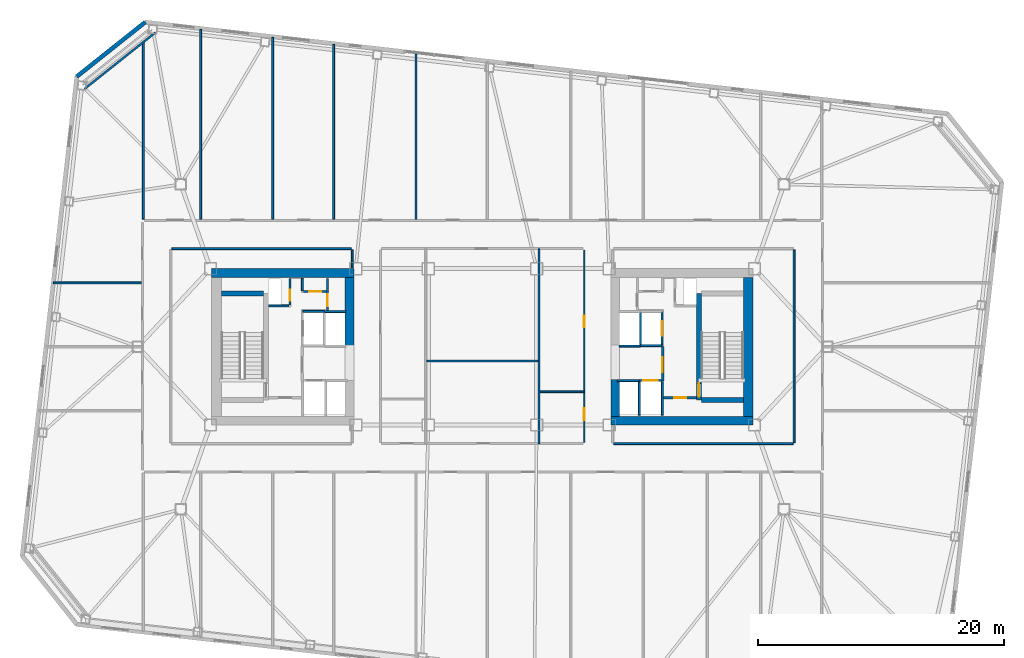
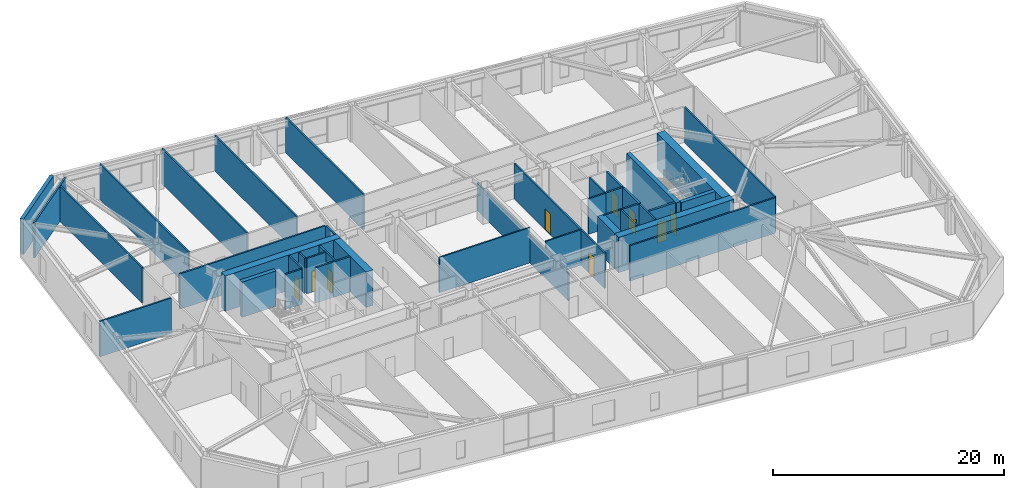
# One storey, part 13 of 21: 41 walls, 10 doors, 10 openings.
"""IFC4 building model written with IfcOpenShell, lengths in metres."""

from ifc_helpers import new_model, si_unit, direction, frame, frame_2d, origin, place, context, subcontext, project, spatial, rectangle, extrude, material, layer, layer_set, type_object, element, fill, save


model = new_model("IFC4")

# Units and contexts
model_context = context("Model", 3, precision=1e-05, world=origin(), true_north=direction((0.0, 1.0)))
body_context = subcontext(model_context, "Body", "Model", "MODEL_VIEW")
ifc_project = project(units=[si_unit("LENGTHUNIT", "METRE"), si_unit("AREAUNIT", "SQUARE_METRE"), si_unit("VOLUMEUNIT", "CUBIC_METRE"), si_unit("PLANEANGLEUNIT", "RADIAN"), si_unit("MASSUNIT", "GRAM", prefix="KILO")], contexts=[model_context])

# Site, building, storey
site_placement = place(None, origin())
site = spatial("IfcSite", under=ifc_project, at=site_placement, CompositionType="ELEMENT")
building_placement = place(site_placement, origin())
building = spatial("IfcBuilding", under=site, at=building_placement, Name="Tavrogorsk Clinical Tower", CompositionType="ELEMENT")
storey_placement = place(building_placement, frame((0.0, 0.0, 133.39990234375)))
storey = spatial("IfcBuildingStorey", under=building, at=storey_placement, Name="L30", CompositionType="ELEMENT", Elevation=133.39990234375)

# Wall, opening, door
ifc_material_1 = material(Name="Concrete B60", Category="concrete")
ifc_layer_1 = layer(ifc_material_1, 0.199951171875)
ifc_layer_set_1 = layer_set([ifc_layer_1], Name="Concrete B60")
wall_type_1 = type_object("IfcWallType", Name="CoreFireWall_200", PredefinedType="SOLIDWALL", material=ifc_layer_set_1)
wall_1_placement = place(storey_placement, frame((14.719970703125, -4.139892578125, 0.0), z_axis=(0.0, 0.0, 1.0), x_axis=(1.0, 0.0, 0.0)))
wall_1 = element("IfcWall", 1, at=wall_1_placement, inside=storey, type_object=wall_type_1, Name="L30 Core East South Core Room Fire Wall", PredefinedType="SOLIDWALL", context=body_context, shape_type="SweptSolid", body=[
    extrude(rectangle(XDim=2.659912109375, YDim=0.199951171875, at=frame_2d((1.330078125, 0.0))), origin(), (0.0, 0.0, 1.0), 3.739990234375),
])
opening_1_placement = place(wall_1_placement, frame((0.8798828125, 0.0, 0.0)))
opening_1 = element("IfcOpeningElement", 2, at=opening_1_placement, cuts=wall_1, Name="Opening ID-02", PredefinedType="OPENING", context=body_context, shape_type="SweptSolid", body=[
    extrude(rectangle(XDim=0.949951171875, YDim=2.199951171875, at=frame_2d((0.47509765625, 1.10009765625))), frame((0.0, 0.10986328125, 0.0), z_axis=(0.0, -1.0, 0.0), x_axis=(1.0, 0.0, 0.0)), (0.0, 0.0, 1.0), 0.219970703125),
])
ifc_material_2 = material(Name="Laminated timber leaf on aluminium frame", Category="wood")
door_type_1 = type_object("IfcDoorType", Name="InteriorDoor_ID02_950", OperationType="NOTDEFINED", PredefinedType="DOOR", material=ifc_material_2)
door_1_placement = place(opening_1_placement, origin())
door_1 = element("IfcDoor", 3, at=door_1_placement, inside=storey, type_object=door_type_1, Name="L30 Core East South Core Room Door", OperationType="SINGLE_SWING_LEFT", OverallHeight=2.199951171875, OverallWidth=0.949951171875, PredefinedType="DOOR", context=body_context, shape_type="SweptSolid", body=[
    extrude(rectangle(XDim=0.949951171875, YDim=2.199951171875, at=frame_2d((0.47509765625, 1.10009765625))), frame((0.0, 0.02490234375, 0.0), z_axis=(0.0, -1.0, 0.0), x_axis=(1.0, 0.0, 0.0)), (0.0, 0.0, 1.0), 0.050048828125),
])
fill(opening_1, door_1)

wall_2_placement = place(storey_placement, frame((14.639892578125, -2.780029296875, 0.0), z_axis=(0.0, 0.0, 1.0), x_axis=(0.0, 1.0, 0.0)))
wall_2 = element("IfcWall", 4, at=wall_2_placement, inside=storey, type_object=wall_type_1, Name="L30 Core East Firefighting Lobby Fire Wall", PredefinedType="SOLIDWALL", context=body_context, shape_type="SweptSolid", body=[
    extrude(rectangle(XDim=2.820068359375, YDim=0.199951171875, at=frame_2d((1.41015625, 0.0))), origin(), (0.0, 0.0, 1.0), 3.739990234375),
])
opening_2_placement = place(wall_2_placement, frame((0.72998046875, 0.0, 0.0)))
opening_2 = element("IfcOpeningElement", 5, at=opening_2_placement, cuts=wall_2, Name="Opening FD-01", PredefinedType="OPENING", context=body_context, shape_type="SweptSolid", body=[
    extrude(rectangle(XDim=1.199951171875, YDim=2.199951171875, at=frame_2d((0.60009765625, 1.10009765625))), frame((0.0, 0.10986328125, 0.0), z_axis=(0.0, -1.0, 0.0), x_axis=(1.0, 0.0, 0.0)), (0.0, 0.0, 1.0), 0.219970703125),
])
ifc_material_3 = material(Name="Galvanised steel fire-rated door assembly", Category="steel")
door_type_2 = type_object("IfcDoorType", Name="FireDoor_FD01_1200", OperationType="NOTDEFINED", PredefinedType="DOOR", material=ifc_material_3)
door_2_placement = place(opening_2_placement, origin())
door_2 = element("IfcDoor", 6, at=door_2_placement, inside=storey, type_object=door_type_2, Name="L30 Core East Firefighting Lobby Entry Door", OperationType="SINGLE_SWING_RIGHT", OverallHeight=2.199951171875, OverallWidth=1.199951171875, PredefinedType="DOOR", context=body_context, shape_type="SweptSolid", body=[
    extrude(rectangle(XDim=1.199951171875, YDim=2.199951171875, at=frame_2d((0.60009765625, 1.10009765625))), frame((0.0, 0.02490234375, 0.0), z_axis=(0.0, -1.0, 0.0), x_axis=(1.0, 0.0, 0.0)), (0.0, 0.0, 1.0), 0.050048828125),
])
fill(opening_2, door_2)

# Walls
ifc_material_4 = material(Name="Lightweight concrete blockwork B15", Category="masonry")
ifc_layer_2 = layer(ifc_material_4, 0.139892578125)
ifc_layer_set_2 = layer_set([ifc_layer_2], Name="Lightweight concrete blockwork B15")
wall_type_2 = type_object("IfcWallType", Name="PartitionWall_140", PredefinedType="PARTITIONING", material=ifc_layer_set_2)
wall_3_placement = place(storey_placement, frame((4.60009765625, -7.864990234375, 0.0), z_axis=(0.0, 0.0, 1.0), x_axis=(0.0, 1.0, 0.0)))
element("IfcWall", 7, at=wall_3_placement, inside=storey, type_object=wall_type_2, Name="L30 Central Spine Partition 2", PredefinedType="PARTITIONING", context=body_context, shape_type="SweptSolid", body=[
    extrude(rectangle(XDim=15.830078125, YDim=0.139892578125, at=frame_2d((7.9150390625, 0.0))), origin(), (0.0, 0.0, 1.0), 2.93505859375),
])
wall_4_placement = place(storey_placement, frame((-4.52490234375, -1.14990234375, 0.0), z_axis=(0.0, 0.0, 1.0), x_axis=(1.0, 0.0, 0.0)))
element("IfcWall", 8, at=wall_4_placement, inside=storey, type_object=wall_type_2, Name="L30 Central Spine Partition 3", PredefinedType="PARTITIONING", context=body_context, shape_type="SweptSolid", body=[
    extrude(rectangle(XDim=9.0498046875, YDim=0.139892578125, at=frame_2d((4.52490234375, 0.0))), origin(), (0.0, 0.0, 1.0), 3.739990234375),
])
wall_5_placement = place(storey_placement, frame((4.675048828125, -3.64990234375, 0.0), z_axis=(0.0, 0.0, 1.0), x_axis=(1.0, 0.0, 0.0)))
element("IfcWall", 9, at=wall_5_placement, inside=storey, type_object=wall_type_2, Name="L30 Central Spine Partition 5", PredefinedType="PARTITIONING", context=body_context, shape_type="SweptSolid", body=[
    extrude(rectangle(XDim=3.58984375, YDim=0.139892578125, at=frame_2d((1.794921875, 0.0))), origin(), (0.0, 0.0, 1.0), 3.739990234375),
])

# Wall, opening, door
ifc_material_5 = material(Name="Lightweight concrete blockwork B15", Category="masonry")
ifc_layer_3 = layer(ifc_material_5, 0.159912109375)
ifc_layer_set_3 = layer_set([ifc_layer_3], Name="Lightweight concrete blockwork B15")
wall_type_3 = type_object("IfcWallType", Name="PartitionWall_160", PredefinedType="PARTITIONING", material=ifc_layer_set_3)
wall_6_placement = place(storey_placement, frame((-12.580078125, 2.9599609375, 0.0), z_axis=(0.0, 0.0, 1.0), x_axis=(0.0, 1.0, 0.0)))
wall_6 = element("IfcWall", 10, at=wall_6_placement, inside=storey, type_object=wall_type_3, Name="L30 Core West Linen Closet Wall", PredefinedType="PARTITIONING", context=body_context, shape_type="SweptSolid", body=[
    extrude(rectangle(XDim=2.60009765625, YDim=0.159912109375, at=frame_2d((1.300048828125, 0.0))), origin(), (0.0, 0.0, 1.0), 3.739990234375),
])
opening_3_placement = place(wall_6_placement, frame((0.35009765625, 0.0, 0.0)))
opening_3 = element("IfcOpeningElement", 11, at=opening_3_placement, cuts=wall_6, Name="Opening ID-02", PredefinedType="OPENING", context=body_context, shape_type="SweptSolid", body=[
    extrude(rectangle(XDim=0.949951171875, YDim=2.199951171875, at=frame_2d((0.47509765625, 1.10009765625))), frame((0.0, 0.08984375, 0.0), z_axis=(0.0, -1.0, 0.0), x_axis=(1.0, 0.0, 0.0)), (0.0, 0.0, 1.0), 0.179931640625),
])
door_3_placement = place(opening_3_placement, origin())
door_3 = element("IfcDoor", 12, at=door_3_placement, inside=storey, type_object=door_type_1, Name="L30 Core West Linen Closet Door", OperationType="SINGLE_SWING_LEFT", OverallHeight=2.199951171875, OverallWidth=0.949951171875, PredefinedType="DOOR", context=body_context, shape_type="SweptSolid", body=[
    extrude(rectangle(XDim=0.949951171875, YDim=2.199951171875, at=frame_2d((0.47509765625, 1.10009765625))), frame((0.0, 0.02490234375, 0.0), z_axis=(0.0, -1.0, 0.0), x_axis=(1.0, 0.0, 0.0)), (0.0, 0.0, 1.0), 0.050048828125),
])
fill(opening_3, door_3)

wall_7_placement = place(storey_placement, frame((-14.554931640625, 4.47998046875, 0.0), z_axis=(0.0, 0.0, 1.0), x_axis=(1.0, 0.0, 0.0)))
wall_7 = element("IfcWall", 13, at=wall_7_placement, inside=storey, type_object=wall_type_3, Name="L30 Core West Housekeeping South Wall", PredefinedType="PARTITIONING", context=body_context, shape_type="SweptSolid", body=[
    extrude(rectangle(XDim=1.889892578125, YDim=0.159912109375, at=frame_2d((0.94482421875, 0.0))), origin(), (0.0, 0.0, 1.0), 3.739990234375),
])
opening_4_placement = place(wall_7_placement, frame((0.5, 0.0, 0.0)))
opening_4 = element("IfcOpeningElement", 14, at=opening_4_placement, cuts=wall_7, Name="Opening ID-02", PredefinedType="OPENING", context=body_context, shape_type="SweptSolid", body=[
    extrude(rectangle(XDim=0.949951171875, YDim=2.199951171875, at=frame_2d((0.47509765625, 1.10009765625))), frame((0.0, 0.08984375, 0.0), z_axis=(0.0, -1.0, 0.0), x_axis=(1.0, 0.0, 0.0)), (0.0, 0.0, 1.0), 0.179931640625),
])
door_4_placement = place(opening_4_placement, origin())
door_4 = element("IfcDoor", 15, at=door_4_placement, inside=storey, type_object=door_type_1, Name="L30 Core West Housekeeping Closet Door", OperationType="SINGLE_SWING_RIGHT", OverallHeight=2.199951171875, OverallWidth=0.949951171875, PredefinedType="DOOR", context=body_context, shape_type="SweptSolid", body=[
    extrude(rectangle(XDim=0.949951171875, YDim=2.199951171875, at=frame_2d((0.47509765625, 1.10009765625))), frame((0.0, 0.02490234375, 0.0), z_axis=(0.0, -1.0, 0.0), x_axis=(1.0, 0.0, 0.0)), (0.0, 0.0, 1.0), 0.050048828125),
])
fill(opening_4, door_4)

# Walls
wall_8_placement = place(storey_placement, frame((-14.639892578125, 4.56494140625, 0.0), z_axis=(0.0, 0.0, 1.0), x_axis=(0.0, 1.0, 0.0)))
element("IfcWall", 16, at=wall_8_placement, inside=storey, type_object=wall_type_3, Name="L30 Core West Housekeeping East Wall", PredefinedType="PARTITIONING", context=body_context, shape_type="SweptSolid", body=[
    extrude(rectangle(XDim=0.9951171875, YDim=0.159912109375, at=frame_2d((0.49755859375, 0.0))), origin(), (0.0, 0.0, 1.0), 3.739990234375),
])
wall_9_placement = place(storey_placement, frame((-26.5712890625, 25.534912109375, 0.0), z_axis=(0.0, 0.0, 1.0), x_axis=(-0.782617962887, -0.622502308564, 0.0)))
element("IfcWall", 17, at=wall_9_placement, inside=storey, type_object=wall_type_3, Name="L30 Corner Exoskeleton Brace Furring Wall 3", PredefinedType="PARTITIONING", context=body_context, shape_type="SweptSolid", body=[
    extrude(rectangle(XDim=7.35400390625, YDim=0.159912109375, at=frame_2d((3.677001953125, 0.0))), origin(), (0.0, 0.0, 1.0), 3.739990234375),
])
wall_10_placement = place(storey_placement, frame((10.6650390625, -7.8701171875, 0.0), z_axis=(0.0, 0.0, 1.0), x_axis=(1.0, 0.0, 0.0)))
element("IfcWall", 18, at=wall_10_placement, inside=storey, type_object=wall_type_3, Name="L30 Corridor Partition 08", PredefinedType="PARTITIONING", context=body_context, shape_type="SweptSolid", body=[
    extrude(rectangle(XDim=14.570068359375, YDim=0.159912109375, at=frame_2d((7.28515625, 0.0))), origin(), (0.0, 0.0, 1.0), 3.739990234375),
])
wall_11_placement = place(storey_placement, frame((25.320068359375, -7.784912109375, 0.0), z_axis=(0.0, 0.0, 1.0), x_axis=(0.0, 1.0, 0.0)))
element("IfcWall", 19, at=wall_11_placement, inside=storey, type_object=wall_type_3, Name="L30 Corridor Partition 09", PredefinedType="PARTITIONING", context=body_context, shape_type="SweptSolid", body=[
    extrude(rectangle(XDim=15.669921875, YDim=0.159912109375, at=frame_2d((7.8349609375, 0.0))), origin(), (0.0, 0.0, 1.0), 3.739990234375),
])

# Wall, openings, doors
wall_12_placement = place(storey_placement, frame((8.27001953125, -7.784912109375, 0.0), z_axis=(0.0, 0.0, 1.0), x_axis=(0.0, 1.0, 0.0)))
wall_12 = element("IfcWall", 20, at=wall_12_placement, inside=storey, type_object=wall_type_3, Name="L30 Corridor Partition 10", PredefinedType="PARTITIONING", context=body_context, shape_type="SweptSolid", body=[
    extrude(rectangle(XDim=15.669921875, YDim=0.159912109375, at=frame_2d((7.8349609375, 0.0))), origin(), (0.0, 0.0, 1.0), 3.739990234375),
])
opening_5_placement = place(wall_12_placement, frame((1.8291015625, 0.0, 0.0)))
opening_5 = element("IfcOpeningElement", 21, at=opening_5_placement, cuts=wall_12, Name="Opening ID-02", PredefinedType="OPENING", context=body_context, shape_type="SweptSolid", body=[
    extrude(rectangle(XDim=0.949951171875, YDim=2.199951171875, at=frame_2d((0.47509765625, 1.10009765625))), frame((0.0, 0.08984375, 0.0), z_axis=(0.0, -1.0, 0.0), x_axis=(1.0, 0.0, 0.0)), (0.0, 0.0, 1.0), 0.179931640625),
])
opening_6_placement = place(wall_12_placement, frame((9.36083984375, 0.0, 0.0)))
opening_6 = element("IfcOpeningElement", 22, at=opening_6_placement, cuts=wall_12, Name="Opening ID-02", PredefinedType="OPENING", context=body_context, shape_type="SweptSolid", body=[
    extrude(rectangle(XDim=0.949951171875, YDim=2.199951171875, at=frame_2d((0.47509765625, 1.10009765625))), frame((0.0, 0.08984375, 0.0), z_axis=(0.0, -1.0, 0.0), x_axis=(1.0, 0.0, 0.0)), (0.0, 0.0, 1.0), 0.179931640625),
])
door_5_placement = place(opening_5_placement, origin())
door_5 = element("IfcDoor", 23, at=door_5_placement, inside=storey, type_object=door_type_1, Name="L30 Staff & Visitor Accessible WC Door", OperationType="SINGLE_SWING_RIGHT", OverallHeight=2.199951171875, OverallWidth=0.949951171875, PredefinedType="DOOR", context=body_context, shape_type="SweptSolid", body=[
    extrude(rectangle(XDim=0.949951171875, YDim=2.199951171875, at=frame_2d((0.47509765625, 1.10009765625))), frame((0.0, 0.02490234375, 0.0), z_axis=(0.0, -1.0, 0.0), x_axis=(1.0, 0.0, 0.0)), (0.0, 0.0, 1.0), 0.050048828125),
])
fill(opening_5, door_5)
door_6_placement = place(opening_6_placement, origin())
door_6 = element("IfcDoor", 24, at=door_6_placement, inside=storey, type_object=door_type_1, Name="L30 Attending Physician Office Door", OperationType="SINGLE_SWING_LEFT", OverallHeight=2.199951171875, OverallWidth=0.949951171875, PredefinedType="DOOR", context=body_context, shape_type="SweptSolid", body=[
    extrude(rectangle(XDim=0.949951171875, YDim=2.199951171875, at=frame_2d((0.47509765625, 1.10009765625))), frame((0.0, 0.02490234375, 0.0), z_axis=(0.0, -1.0, 0.0), x_axis=(1.0, 0.0, 0.0)), (0.0, 0.0, 1.0), 0.050048828125),
])
fill(opening_6, door_6)

# Walls
wall_13_placement = place(storey_placement, frame((-10.580078125, 6.419921875, 0.0), z_axis=(0.0, 0.0, 1.0), x_axis=(0.0, 1.0, 0.0)))
element("IfcWall", 25, at=wall_13_placement, inside=storey, type_object=wall_type_3, Name="L30 Corridor Partition 15", PredefinedType="PARTITIONING", context=body_context, shape_type="SweptSolid", body=[
    extrude(rectangle(XDim=1.465087890625, YDim=0.159912109375, at=frame_2d((0.732421875, 0.0))), origin(), (0.0, 0.0, 1.0), 3.739990234375),
])
wall_14_placement = place(storey_placement, frame((-10.6650390625, 7.969970703125, 0.0), z_axis=(0.0, 0.0, 1.0), x_axis=(-1.0, 0.0, 0.0)))
element("IfcWall", 26, at=wall_14_placement, inside=storey, type_object=wall_type_3, Name="L30 Corridor Partition 16", PredefinedType="PARTITIONING", context=body_context, shape_type="SweptSolid", body=[
    extrude(rectangle(XDim=14.570068359375, YDim=0.159912109375, at=frame_2d((7.28515625, 0.0))), origin(), (0.0, 0.0, 1.0), 3.739990234375),
])
wall_15_placement = place(storey_placement, frame((-27.550048828125, 10.364990234375, 0.0), z_axis=(0.0, 0.0, 1.0), x_axis=(0.0, 1.0, 0.0)))
element("IfcWall", 27, at=wall_15_placement, inside=storey, type_object=wall_type_3, Name="L30 NW Wing Closure Partition", PredefinedType="PARTITIONING", context=body_context, shape_type="SweptSolid", body=[
    extrude(rectangle(XDim=14.40869140625, YDim=0.159912109375, at=frame_2d((7.204345703125, 0.0))), origin(), (0.0, 0.0, 1.0), 3.739990234375),
])
wall_16_placement = place(storey_placement, frame((-22.89990234375, 10.364990234375, 0.0), z_axis=(0.0, 0.0, 1.0), x_axis=(0.0, 1.0, 0.0)))
element("IfcWall", 28, at=wall_16_placement, inside=storey, type_object=wall_type_3, Name="L30 North Room Partition 1", PredefinedType="PARTITIONING", context=body_context, shape_type="SweptSolid", body=[
    extrude(rectangle(XDim=15.4365234375, YDim=0.159912109375, at=frame_2d((7.71826171875, 0.0))), origin(), (0.0, 0.0, 1.0), 3.739990234375),
])
wall_17_placement = place(storey_placement, frame((-12.10009765625, 10.364990234375, 0.0), z_axis=(0.0, 0.0, 1.0), x_axis=(0.0, 1.0, 0.0)))
element("IfcWall", 29, at=wall_17_placement, inside=storey, type_object=wall_type_3, Name="L30 North Room Partition 2", PredefinedType="PARTITIONING", context=body_context, shape_type="SweptSolid", body=[
    extrude(rectangle(XDim=14.2060546875, YDim=0.159912109375, at=frame_2d((7.10302734375, 0.0))), origin(), (0.0, 0.0, 1.0), 3.739990234375),
])
wall_18_placement = place(storey_placement, frame((-17.050048828125, 10.364990234375, 0.0), z_axis=(0.0, 0.0, 1.0), x_axis=(0.0, 1.0, 0.0)))
element("IfcWall", 30, at=wall_18_placement, inside=storey, type_object=wall_type_3, Name="L30 North Sub-Partition 2", PredefinedType="PARTITIONING", context=body_context, shape_type="SweptSolid", body=[
    extrude(rectangle(XDim=14.77001953125, YDim=0.159912109375, at=frame_2d((7.385009765625, 0.0))), origin(), (0.0, 0.0, 1.0), 3.739990234375),
])
wall_19_placement = place(storey_placement, frame((-5.39990234375, 10.364990234375, 0.0), z_axis=(0.0, 0.0, 1.0), x_axis=(0.0, 1.0, 0.0)))
element("IfcWall", 31, at=wall_19_placement, inside=storey, type_object=wall_type_3, Name="L30 North Sub-Partition 3", PredefinedType="PARTITIONING", context=body_context, shape_type="SweptSolid", body=[
    extrude(rectangle(XDim=13.442626953125, YDim=0.159912109375, at=frame_2d((6.72119140625, 0.0))), origin(), (0.0, 0.0, 1.0), 3.739990234375),
])
wall_20_placement = place(storey_placement, frame((-34.857177734375, 5.199951171875, 0.0), z_axis=(0.0, 0.0, 1.0), x_axis=(1.0, 0.0, 0.0)))
element("IfcWall", 32, at=wall_20_placement, inside=storey, type_object=wall_type_3, Name="L30 W Wing Divider 3", PredefinedType="PARTITIONING", context=body_context, shape_type="SweptSolid", body=[
    extrude(rectangle(XDim=7.14208984375, YDim=0.159912109375, at=frame_2d((3.571044921875, 0.0))), origin(), (0.0, 0.0, 1.0), 3.739990234375),
])
ifc_material_6 = material(Name="Precast concrete B45 with limestone cladding", Category="masonry")
ifc_layer_4 = layer(ifc_material_6, 0.340087890625)
ifc_layer_set_4 = layer_set([ifc_layer_4], Name="Precast concrete B45 with limestone cladding")
wall_type_4 = type_object("IfcWallType", Name="PrecastLimestoneWall_340", PredefinedType="STANDARD", material=ifc_layer_set_4)
wall_21_placement = place(storey_placement, frame((-27.40087890625, 26.384765625, 0.0), z_axis=(0.0, 0.0, 1.0), x_axis=(-0.78261359446, -0.622507800567, 0.0)))
element("IfcWall", 33, at=wall_21_placement, inside=storey, type_object=wall_type_4, Name="L30 Chamfered Corner Wall 3", PredefinedType="STANDARD", context=body_context, shape_type="SweptSolid", body=[
    extrude(rectangle(XDim=7.113525390625, YDim=0.340087890625, at=frame_2d((3.556640625, 0.0))), origin(), (0.0, 0.0, 1.0), 3.739990234375),
])
ifc_material_7 = material(Name="Lightweight concrete blockwork B25", Category="masonry")
ifc_layer_5 = layer(ifc_material_7, 0.159912109375)
ifc_layer_set_5 = layer_set([ifc_layer_5], Name="Lightweight concrete blockwork B25")
wall_type_5 = type_object("IfcWallType", Name="ShaftWall_160", PredefinedType="PARTITIONING", material=ifc_layer_set_5)
wall_22_placement = place(storey_placement, frame((-14.60009765625, 2.8798828125, 0.0), z_axis=(0.0, 0.0, 1.0), x_axis=(1.0, 0.0, 0.0)))
element("IfcWall", 34, at=wall_22_placement, inside=storey, type_object=wall_type_5, Name="L30 FFL-W Shaft North Wall", PredefinedType="PARTITIONING", context=body_context, shape_type="SweptSolid", body=[
    extrude(rectangle(XDim=1.760009765625, YDim=0.159912109375, at=frame_2d((0.8798828125, 0.0))), origin(), (0.0, 0.0, 1.0), 3.739990234375),
])
wall_23_placement = place(storey_placement, frame((-12.820068359375, 2.860107421875, 0.0), z_axis=(0.0, 0.0, 1.0), x_axis=(1.0, 0.0, 0.0)))
element("IfcWall", 35, at=wall_23_placement, inside=storey, type_object=wall_type_5, Name="L30 LP-H1 High-Zone Lift Rear Wall", PredefinedType="PARTITIONING", context=body_context, shape_type="SweptSolid", body=[
    extrude(rectangle(XDim=1.719970703125, YDim=0.159912109375, at=frame_2d((0.85986328125, 0.0))), origin(), (0.0, 0.0, 1.0), 3.739990234375),
])

# Wall, opening, door
wall_24_placement = place(storey_placement, frame((14.60009765625, 0.1201171875, 0.0), z_axis=(0.0, 0.0, 1.0), x_axis=(0.0, 1.0, 0.0)))
wall_24 = element("IfcWall", 36, at=wall_24_placement, inside=storey, type_object=wall_type_5, Name="L30 FFL-E Firefighting Lift Front Wall", PredefinedType="PARTITIONING", context=body_context, shape_type="SweptSolid", body=[
    extrude(rectangle(XDim=2.739990234375, YDim=0.159912109375, at=frame_2d((1.3701171875, 0.0))), origin(), (0.0, 0.0, 1.0), 3.739990234375),
])
opening_7_placement = place(wall_24_placement, frame((0.77001953125, 0.0, 0.0)))
opening_7 = element("IfcOpeningElement", 37, at=opening_7_placement, cuts=wall_24, Name="Opening LD", PredefinedType="OPENING", context=body_context, shape_type="SweptSolid", body=[
    extrude(rectangle(XDim=1.199951171875, YDim=2.199951171875, at=frame_2d((0.60009765625, 1.10009765625))), frame((0.0, 0.08984375, 0.0), z_axis=(0.0, -1.0, 0.0), x_axis=(1.0, 0.0, 0.0)), (0.0, 0.0, 1.0), 0.179931640625),
])
ifc_material_8 = material(Name="Brushed stainless steel AISI 304 sliding doors", Category="steel")
door_type_3 = type_object("IfcDoorType", Name="LiftLandingDoor_LD_1200", OperationType="SLIDING_TO_LEFT", PredefinedType="DOOR", material=ifc_material_8)
door_7_placement = place(opening_7_placement, origin())
door_7 = element("IfcDoor", 38, at=door_7_placement, inside=storey, type_object=door_type_3, Name="L30 FFL-E Sliding Lift Landing Door", OperationType="SLIDING_TO_LEFT", OverallHeight=2.199951171875, OverallWidth=1.199951171875, PredefinedType="DOOR", context=body_context, shape_type="SweptSolid", body=[
    extrude(rectangle(XDim=1.199951171875, YDim=2.199951171875, at=frame_2d((0.60009765625, 1.10009765625))), frame((0.0, 0.02490234375, 0.0), z_axis=(0.0, -1.0, 0.0), x_axis=(1.0, 0.0, 0.0)), (0.0, 0.0, 1.0), 0.050048828125),
])
fill(opening_7, door_7)

# Walls
wall_25_placement = place(storey_placement, frame((12.840087890625, 0.10009765625, 0.0), z_axis=(0.0, 0.0, 1.0), x_axis=(1.0, 0.0, 0.0)))
element("IfcWall", 39, at=wall_25_placement, inside=storey, type_object=wall_type_5, Name="L30 FFL-E Shaft South Wall", PredefinedType="PARTITIONING", context=body_context, shape_type="SweptSolid", body=[
    extrude(rectangle(XDim=1.760009765625, YDim=0.159912109375, at=frame_2d((0.8798828125, 0.0))), origin(), (0.0, 0.0, 1.0), 3.739990234375),
])
wall_26_placement = place(storey_placement, frame((12.840087890625, 0.179931640625, 0.0), z_axis=(0.0, 0.0, 1.0), x_axis=(0.0, 1.0, 0.0)))
element("IfcWall", 40, at=wall_26_placement, inside=storey, type_object=wall_type_5, Name="L30 FFL-E Shaft Back Wall", PredefinedType="PARTITIONING", context=body_context, shape_type="SweptSolid", body=[
    extrude(rectangle(XDim=2.6201171875, YDim=0.159912109375, at=frame_2d((1.31005859375, 0.0))), origin(), (0.0, 0.0, 1.0), 3.739990234375),
])

# Wall, opening, door
wall_27_placement = place(storey_placement, frame((12.77001953125, -2.75, 0.0), z_axis=(0.0, 0.0, 1.0), x_axis=(1.0, 0.0, 0.0)))
wall_27 = element("IfcWall", 41, at=wall_27_placement, inside=storey, type_object=wall_type_5, Name="L30 LP-L2 Lift Shaft Portal Wall", PredefinedType="PARTITIONING", context=body_context, shape_type="SweptSolid", body=[
    extrude(rectangle(XDim=1.760009765625, YDim=0.159912109375, at=frame_2d((0.8798828125, 0.0))), origin(), (0.0, 0.0, 1.0), 3.739990234375),
])
opening_8_placement = place(wall_27_placement, frame((0.280029296875, 0.0, 0.0)))
opening_8 = element("IfcOpeningElement", 42, at=opening_8_placement, cuts=wall_27, Name="Opening LD", PredefinedType="OPENING", context=body_context, shape_type="SweptSolid", body=[
    extrude(rectangle(XDim=1.199951171875, YDim=2.199951171875, at=frame_2d((0.60009765625, 1.10009765625))), frame((0.0, 0.08984375, 0.0), z_axis=(0.0, -1.0, 0.0), x_axis=(1.0, 0.0, 0.0)), (0.0, 0.0, 1.0), 0.179931640625),
])
door_8_placement = place(opening_8_placement, origin())
door_8 = element("IfcDoor", 43, at=door_8_placement, inside=storey, type_object=door_type_3, Name="L30 LP-L2 Sliding Lift Landing Door", OperationType="SLIDING_TO_LEFT", OverallHeight=2.199951171875, OverallWidth=1.199951171875, PredefinedType="DOOR", context=body_context, shape_type="SweptSolid", body=[
    extrude(rectangle(XDim=1.199951171875, YDim=2.199951171875, at=frame_2d((0.60009765625, 1.10009765625))), frame((0.0, 0.02490234375, 0.0), z_axis=(0.0, -1.0, 0.0), x_axis=(1.0, 0.0, 0.0)), (0.0, 0.0, 1.0), 0.050048828125),
])
fill(opening_8, door_8)

# Walls
for number, where, z_axis, x_axis, name in (
    (44, (12.75, -5.5400390625, 0.0), (0.0, 0.0, 1.0), (0.0, 1.0, 0.0), "L30 LP-L2 Lift Hoistway Divider Wall"),
    (45, (14.610107421875, -5.5400390625, 0.0), (0.0, 0.0, 1.0), (0.0, 1.0, 0.0), "L30 LP-L2 Lift Hoistway Outer Cheek Wall"),
):
    element("IfcWall", number, at=place(storey_placement, frame(where, z_axis=z_axis, x_axis=x_axis)), inside=storey, type_object=wall_type_5, Name=name, PredefinedType="PARTITIONING", context=body_context, shape_type="SweptSolid", body=[
        extrude(rectangle(XDim=2.699951171875, YDim=0.159912109375, at=frame_2d((1.35009765625, 0.0))), origin(), (0.0, 0.0, 1.0), 3.739990234375),
    ])
wall_28_placement = place(storey_placement, frame((10.969970703125, -2.75, 0.0), z_axis=(0.0, 0.0, 1.0), x_axis=(1.0, 0.0, 0.0)))
element("IfcWall", 46, at=wall_28_placement, inside=storey, type_object=wall_type_5, Name="L30 LP-M2 Lift Shaft Portal Wall", PredefinedType="PARTITIONING", context=body_context, shape_type="SweptSolid", body=[
    extrude(rectangle(XDim=1.760009765625, YDim=0.159912109375, at=frame_2d((0.8798828125, 0.0))), origin(), (0.0, 0.0, 1.0), 3.739990234375),
])
wall_29_placement = place(storey_placement, frame((11.10009765625, 0.06005859375, 0.0), z_axis=(0.0, 0.0, 1.0), x_axis=(1.0, 0.0, 0.0)))
element("IfcWall", 47, at=wall_29_placement, inside=storey, type_object=wall_type_5, Name="L30 LP-H2 High-Zone Lift Portal Wall", PredefinedType="PARTITIONING", context=body_context, shape_type="SweptSolid", body=[
    extrude(rectangle(XDim=1.719970703125, YDim=0.159912109375, at=frame_2d((0.85986328125, 0.0))), origin(), (0.0, 0.0, 1.0), 3.739990234375),
])

# Wall, opening, door
wall_30_placement = place(storey_placement, frame((-15.639892578125, 3.405029296875, 0.0), z_axis=(0.0, 0.0, 1.0), x_axis=(0.0, 1.0, 0.0)))
wall_30 = element("IfcWall", 48, at=wall_30_placement, inside=storey, type_object=wall_type_5, Name="L30 Core West Riser West Wall", PredefinedType="PARTITIONING", context=body_context, shape_type="SweptSolid", body=[
    extrude(rectangle(XDim=2.155029296875, YDim=0.159912109375, at=frame_2d((1.07763671875, 0.0))), origin(), (0.0, 0.0, 1.0), 3.739990234375),
])
opening_9_placement = place(wall_30_placement, frame((0.35009765625, 0.0, 0.0)))
opening_9 = element("IfcOpeningElement", 49, at=opening_9_placement, cuts=wall_30, Name="Opening FD-02", PredefinedType="OPENING", context=body_context, shape_type="SweptSolid", body=[
    extrude(rectangle(XDim=0.89990234375, YDim=2.199951171875, at=frame_2d((0.449951171875, 1.10009765625))), frame((0.0, 0.08984375, 0.0), z_axis=(0.0, -1.0, 0.0), x_axis=(1.0, 0.0, 0.0)), (0.0, 0.0, 1.0), 0.179931640625),
])
ifc_material_9 = material(Name="Galvanised steel fire-rated door assembly", Category="steel")
door_type_4 = type_object("IfcDoorType", Name="FireDoor_FD02_900", OperationType="NOTDEFINED", PredefinedType="DOOR", material=ifc_material_9)
door_9_placement = place(opening_9_placement, origin())
door_9 = element("IfcDoor", 50, at=door_9_placement, inside=storey, type_object=door_type_4, Name="L30 Core West Electrical Riser Access Door", OperationType="SINGLE_SWING_LEFT", OverallHeight=2.199951171875, OverallWidth=0.89990234375, PredefinedType="DOOR", context=body_context, shape_type="SweptSolid", body=[
    extrude(rectangle(XDim=0.89990234375, YDim=2.199951171875, at=frame_2d((0.449951171875, 1.10009765625))), frame((0.0, 0.02490234375, 0.0), z_axis=(0.0, -1.0, 0.0), x_axis=(1.0, 0.0, 0.0)), (0.0, 0.0, 1.0), 0.050048828125),
])
fill(opening_9, door_9)

# Walls
wall_31_placement = place(storey_placement, frame((-17.3798828125, 3.320068359375, 0.0), z_axis=(0.0, 0.0, 1.0), x_axis=(1.0, 0.0, 0.0)))
element("IfcWall", 51, at=wall_31_placement, inside=storey, type_object=wall_type_5, Name="L30 Core West Riser South Wall", PredefinedType="PARTITIONING", context=body_context, shape_type="SweptSolid", body=[
    extrude(rectangle(XDim=1.65478515625, YDim=0.159912109375, at=frame_2d((0.827392578125, 0.0))), origin(), (0.0, 0.0, 1.0), 3.739990234375),
])
ifc_material_10 = material(Name="Concrete B80", Category="concrete")
ifc_layer_6 = layer(ifc_material_10, 0.39990234375)
ifc_layer_set_6 = layer_set([ifc_layer_6], Name="Concrete B80")
wall_type_6 = type_object("IfcWallType", Name="ShearWall_400", PredefinedType="SHEAR", material=ifc_layer_set_6)
wall_32_placement = place(storey_placement, frame((-21.199951171875, 4.324951171875, 0.0), z_axis=(0.0, 0.0, 1.0), x_axis=(1.0, 0.0, 0.0)))
element("IfcWall", 52, at=wall_32_placement, inside=storey, type_object=wall_type_6, Name="L30 Core West Stair Shaft North Shear Wall", PredefinedType="SHEAR", context=body_context, shape_type="SweptSolid", body=[
    extrude(rectangle(XDim=3.39990234375, YDim=0.39990234375, at=frame_2d((1.699951171875, 0.0))), origin(), (0.0, 0.0, 1.0), 3.739990234375),
])

# Wall, opening, door
wall_33_placement = place(storey_placement, frame((17.60009765625, -4.324951171875, 0.0), z_axis=(0.0, 0.0, 1.0), x_axis=(0.0, 1.0, 0.0)))
wall_33 = element("IfcWall", 53, at=wall_33_placement, inside=storey, type_object=wall_type_6, Name="L30 Core East Stair Shaft Inner Shear Wall", PredefinedType="SHEAR", context=body_context, shape_type="SweptSolid", body=[
    extrude(rectangle(XDim=8.64990234375, YDim=0.39990234375, at=frame_2d((4.324951171875, 0.0))), origin(), (0.0, 0.0, 1.0), 3.739990234375),
])
opening_10_placement = place(wall_33_placement, frame((0.25, 0.0, 0.0)))
opening_10 = element("IfcOpeningElement", 54, at=opening_10_placement, cuts=wall_33, Name="Opening SD-01", PredefinedType="OPENING", context=body_context, shape_type="SweptSolid", body=[
    extrude(rectangle(XDim=1.10009765625, YDim=2.199951171875, at=frame_2d((0.550048828125, 1.10009765625))), frame((0.0, 0.2099609375, 0.0), z_axis=(0.0, -1.0, 0.0), x_axis=(1.0, 0.0, 0.0)), (0.0, 0.0, 1.0), 0.419921875),
])
ifc_material_11 = material(Name="Galvanised steel smoke-tight fire door assembly", Category="steel")
door_type_5 = type_object("IfcDoorType", Name="StairFireDoor_SD01_1100", OperationType="NOTDEFINED", PredefinedType="DOOR", material=ifc_material_11)
door_10_placement = place(opening_10_placement, origin())
door_10 = element("IfcDoor", 55, at=door_10_placement, inside=storey, type_object=door_type_5, Name="L30 ST-E Exit Stair Door", OperationType="SINGLE_SWING_LEFT", OverallHeight=2.199951171875, OverallWidth=1.10009765625, PredefinedType="DOOR", context=body_context, shape_type="SweptSolid", body=[
    extrude(rectangle(XDim=1.10009765625, YDim=2.199951171875, at=frame_2d((0.550048828125, 1.10009765625))), frame((0.0, 0.02490234375, 0.0), z_axis=(0.0, -1.0, 0.0), x_axis=(1.0, 0.0, 0.0)), (0.0, 0.0, 1.0), 0.050048828125),
])
fill(opening_10, door_10)

# Walls
wall_34_placement = place(storey_placement, frame((17.800048828125, -4.324951171875, 0.0), z_axis=(0.0, 0.0, 1.0), x_axis=(1.0, 0.0, 0.0)))
element("IfcWall", 56, at=wall_34_placement, inside=storey, type_object=wall_type_6, Name="L30 Core East Stair Shaft South Shear Wall", PredefinedType="SHEAR", context=body_context, shape_type="SweptSolid", body=[
    extrude(rectangle(XDim=3.39990234375, YDim=0.39990234375, at=frame_2d((1.699951171875, 0.0))), origin(), (0.0, 0.0, 1.0), 3.739990234375),
])
ifc_material_12 = material(Name="Concrete B80", Category="concrete")
ifc_layer_7 = layer(ifc_material_12, 0.699951171875)
ifc_layer_set_7 = layer_set([ifc_layer_7], Name="Concrete B80")
wall_type_7 = type_object("IfcWallType", Name="ShearWall_700", PredefinedType="SHEAR", material=ifc_layer_set_7)
wall_35_placement = place(storey_placement, frame((-22.0, 6.0, 0.0), z_axis=(0.0, 0.0, 1.0), x_axis=(1.0, 0.0, 0.0)))
element("IfcWall", 57, at=wall_35_placement, inside=storey, type_object=wall_type_7, Name="L30 Core West North Shear Wall", PredefinedType="SHEAR", context=body_context, shape_type="SweptSolid", body=[
    extrude(rectangle(XDim=11.550048828125, YDim=0.699951171875, at=frame_2d((5.77490234375, 0.0))), origin(), (0.0, 0.0, 1.0), 3.739990234375),
])
wall_36_placement = place(storey_placement, frame((-10.800048828125, 0.050048828125, 0.0), z_axis=(0.0, 0.0, 1.0), x_axis=(0.0, 1.0, 0.0)))
element("IfcWall", 58, at=wall_36_placement, inside=storey, type_object=wall_type_7, Name="L30 Core West Inner North Pier", PredefinedType="SHEAR", context=body_context, shape_type="SweptSolid", body=[
    extrude(rectangle(XDim=5.599853515625, YDim=0.699951171875, at=frame_2d((2.7998046875, 0.0))), origin(), (0.0, 0.0, 1.0), 3.739990234375),
])
wall_37_placement = place(storey_placement, frame((10.449951171875, -6.0, 0.0), z_axis=(0.0, 0.0, 1.0), x_axis=(1.0, 0.0, 0.0)))
element("IfcWall", 59, at=wall_37_placement, inside=storey, type_object=wall_type_7, Name="L30 Core East South Shear Wall", PredefinedType="SHEAR", context=body_context, shape_type="SweptSolid", body=[
    extrude(rectangle(XDim=11.550048828125, YDim=0.699951171875, at=frame_2d((5.77490234375, 0.0))), origin(), (0.0, 0.0, 1.0), 3.739990234375),
])
wall_38_placement = place(storey_placement, frame((10.800048828125, -5.64990234375, 0.0), z_axis=(0.0, 0.0, 1.0), x_axis=(0.0, 1.0, 0.0)))
element("IfcWall", 60, at=wall_38_placement, inside=storey, type_object=wall_type_7, Name="L30 Core East Inner South Pier", PredefinedType="SHEAR", context=body_context, shape_type="SweptSolid", body=[
    extrude(rectangle(XDim=3.0, YDim=0.699951171875, at=frame_2d((1.5, 0.0))), origin(), (0.0, 0.0, 1.0), 3.739990234375),
])
ifc_material_13 = material(Name="Concrete B80", Category="concrete")
ifc_layer_8 = layer(ifc_material_13, 0.800048828125)
ifc_layer_set_8 = layer_set([ifc_layer_8], Name="Concrete B80")
wall_type_8 = type_object("IfcWallType", Name="ShearWall_800", PredefinedType="SHEAR", material=ifc_layer_set_8)
wall_39_placement = place(storey_placement, frame((21.60009765625, -5.64990234375, 0.0), z_axis=(0.0, 0.0, 1.0), x_axis=(0.0, 1.0, 0.0)))
element("IfcWall", 61, at=wall_39_placement, inside=storey, type_object=wall_type_8, Name="L30 Core East End Shear Wall", PredefinedType="SHEAR", context=body_context, shape_type="SweptSolid", body=[
    extrude(rectangle(XDim=11.2998046875, YDim=0.800048828125, at=frame_2d((5.64990234375, 0.0))), origin(), (0.0, 0.0, 1.0), 3.739990234375),
])

save(model, "model.ifc")
